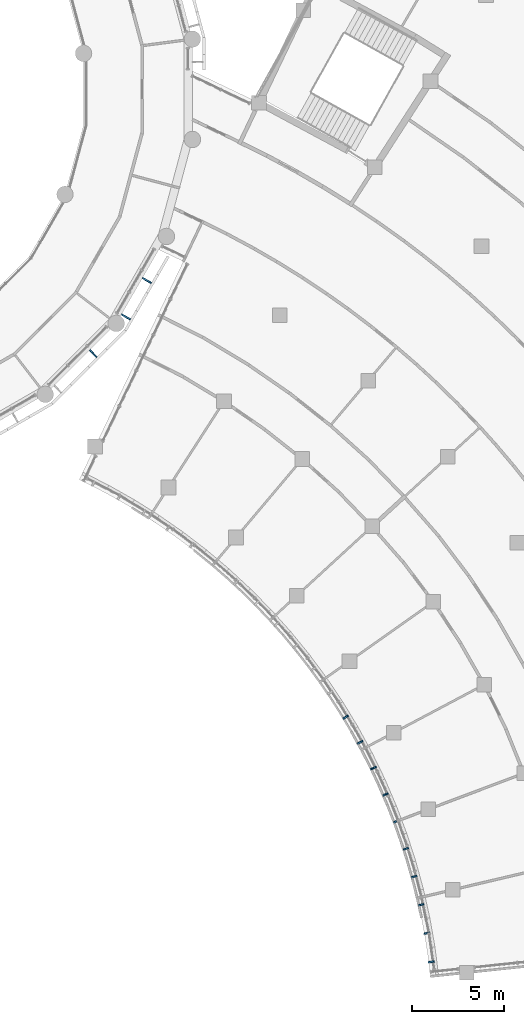
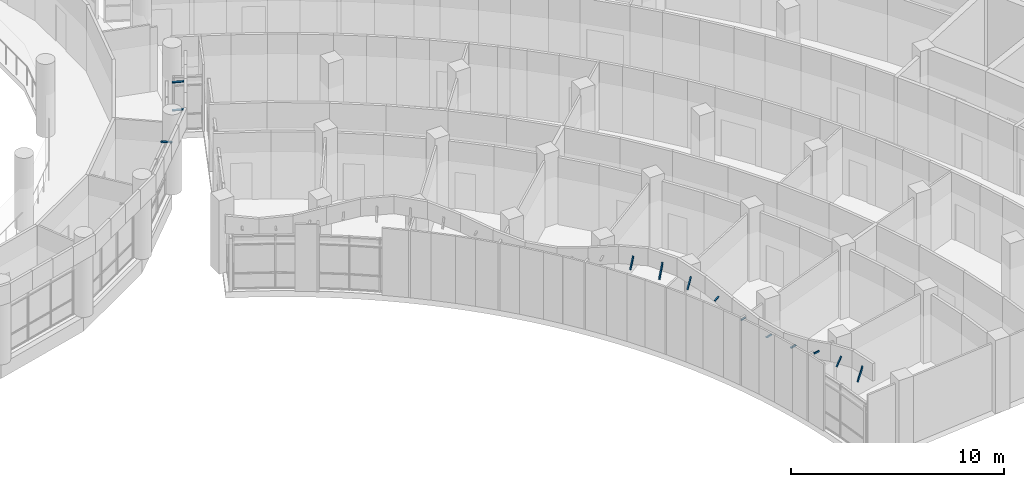
# One storey, part 84 of 109: 13 discrete accessories.
"""IFC4 building model written with IfcOpenShell, lengths in metres."""

from ifc_helpers import new_model, si_unit, direction, frame, origin, origin_2d, place, context, subcontext, project, spatial, rectangle, extrude, material, material_profile, profile_set, type_object, element, save


model = new_model("IFC4")

# Units and contexts
model_context = context("Model", 3, precision=1e-05, world=origin(), true_north=direction((0.0, 1.0)))
body_context = subcontext(model_context, "Body", "Model", "MODEL_VIEW")
ifc_project = project(units=[si_unit("LENGTHUNIT", "METRE"), si_unit("AREAUNIT", "SQUARE_METRE"), si_unit("VOLUMEUNIT", "CUBIC_METRE"), si_unit("PLANEANGLEUNIT", "RADIAN"), si_unit("MASSUNIT", "GRAM", prefix="KILO")], contexts=[model_context])

# Site, building, storey
site_placement = place(None, origin())
site = spatial("IfcSite", under=ifc_project, at=site_placement, CompositionType="ELEMENT")
building_placement = place(site_placement, origin())
building = spatial("IfcBuilding", under=site, at=building_placement, Name="Bougainvillea Quay General Hospital", CompositionType="ELEMENT")
storey_placement = place(building_placement, frame((0.0, 0.0, 12.60009765625)))
storey = spatial("IfcBuildingStorey", under=building, at=storey_placement, Name="L02", CompositionType="ELEMENT", Elevation=12.60009765625)

# Discrete accessories
ifc_material = material(Name="Stainless steel bracket, grade 316", Category="steel")
ifc_material_profile = material_profile(ifc_material, rectangle(XDim=0.080078125, YDim=0.050048828125, at=origin_2d()))
ifc_profile_set = profile_set([ifc_material_profile], Name="Stainless steel bracket, grade 316")
discrete_accessory_type = type_object("IfcDiscreteAccessoryType", Name="Stainless steel stand-off bracket 80x50", PredefinedType="BRACKET", material=ifc_profile_set)
discrete_accessory_1_placement = place(storey_placement, frame((138.255615234375, 39.639404296875, 4.139892578125), z_axis=(0.380243326461, 0.231043087887, 0.89556356794), x_axis=(-0.51927544977, 0.85460693144, 0.0)))
element("IfcDiscreteAccessory", 1, at=discrete_accessory_1_placement, inside=storey, type_object=discrete_accessory_type, Name="Fascia bracket a21 13", PredefinedType="BRACKET", context=body_context, shape_type="SweptSolid", body=[
    extrude(rectangle(XDim=0.080078125, YDim=0.050048828125, at=origin_2d()), origin(), (0.0, 0.0, 1.0), 0.674072265625),
])
discrete_accessory_2_placement = place(storey_placement, frame((139.042724609375, 38.2724609375, 4.139892578125), z_axis=(0.307057102982, 0.167485692536, 0.93683748767), x_axis=(-0.478852130681, 0.877895572914, 0.0)))
element("IfcDiscreteAccessory", 2, at=discrete_accessory_2_placement, inside=storey, type_object=discrete_accessory_type, Name="Fascia bracket a21 14", PredefinedType="BRACKET", context=body_context, shape_type="SweptSolid", body=[
    extrude(rectangle(XDim=0.080078125, YDim=0.050048828125, at=origin_2d()), origin(), (0.0, 0.0, 1.0), 0.857177734375),
])
discrete_accessory_3_placement = place(storey_placement, frame((139.765380859375, 36.870361328125, 4.139892578125), z_axis=(0.405386328909, 0.197373615342, 0.892583654511), x_axis=(-0.437750214358, 0.899096629862, 0.0)))
element("IfcDiscreteAccessory", 3, at=discrete_accessory_3_placement, inside=storey, type_object=discrete_accessory_type, Name="Fascia bracket a21 15", PredefinedType="BRACKET", context=body_context, shape_type="SweptSolid", body=[
    extrude(rectangle(XDim=0.080078125, YDim=0.050048828125, at=origin_2d()), origin(), (0.0, 0.0, 1.0), 0.66552734375),
])
discrete_accessory_4_placement = place(storey_placement, frame((140.42236328125, 35.436279296875, 4.139892578125), z_axis=(0.878336487554, 0.378097017671, 0.292519503384), x_axis=(-0.39539162244, 0.918512637313, 0.0)))
element("IfcDiscreteAccessory", 4, at=discrete_accessory_4_placement, inside=storey, type_object=discrete_accessory_type, Name="Fascia bracket a21 16", PredefinedType="BRACKET", context=body_context, shape_type="SweptSolid", body=[
    extrude(rectangle(XDim=0.080078125, YDim=0.050048828125, at=origin_2d()), origin(), (0.0, 0.0, 1.0), 0.313720703125),
])
for number, where, z_axis, x_axis, name in (
    (5, (141.01220703125, 33.973388671875, 3.7119140625), (0.935860136355, 0.352371686123, 0.0), (-0.352371686123, 0.935860136355, 0.0), "Fascia bracket a21 17"),
    (6, (141.533447265625, 32.484619140625, 3.460205078125), (0.951255083436, 0.308405198137, 0.0), (-0.308405198137, 0.951255083436, 0.0), "Fascia bracket a21 18"),
):
    element("IfcDiscreteAccessory", number, at=place(storey_placement, frame(where, z_axis=z_axis, x_axis=x_axis)), inside=storey, type_object=discrete_accessory_type, Name=name, PredefinedType="BRACKET", context=body_context, shape_type="SweptSolid", body=[
        extrude(rectangle(XDim=0.080078125, YDim=0.050048828125, at=origin_2d()), origin(), (0.0, 0.0, 1.0), 0.300048828125),
    ])
discrete_accessory_5_placement = place(storey_placement, frame((141.98486328125, 30.97314453125, 3.614990234375), z_axis=(0.96444409116, 0.264286955841, 0.0), x_axis=(-0.264286955841, 0.96444409116, 0.0)))
element("IfcDiscreteAccessory", 7, at=discrete_accessory_5_placement, inside=storey, type_object=discrete_accessory_type, Name="Fascia bracket a21 19", PredefinedType="BRACKET", context=body_context, shape_type="SweptSolid", body=[
    extrude(rectangle(XDim=0.080078125, YDim=0.050048828125, at=origin_2d()), origin(), (0.0, 0.0, 1.0), 0.30029296875),
])
discrete_accessory_6_placement = place(storey_placement, frame((142.365966796875, 29.442626953125, 4.091064453125), z_axis=(0.975744639725, 0.218911849947, 0.0), x_axis=(-0.218911849947, 0.975744639725, 0.0)))
element("IfcDiscreteAccessory", 8, at=discrete_accessory_6_placement, inside=storey, type_object=discrete_accessory_type, Name="Fascia bracket a21 20", PredefinedType="BRACKET", context=body_context, shape_type="SweptSolid", body=[
    extrude(rectangle(XDim=0.080078125, YDim=0.050048828125, at=origin_2d()), origin(), (0.0, 0.0, 1.0), 0.300048828125),
])
discrete_accessory_7_placement = place(storey_placement, frame((142.675537109375, 27.895751953125, 4.139892578125), z_axis=(0.516439215753, 0.090910374343, 0.851484492089), x_axis=(-0.173367427214, 0.984857215631, 0.0)))
element("IfcDiscreteAccessory", 9, at=discrete_accessory_7_placement, inside=storey, type_object=discrete_accessory_type, Name="Fascia bracket a21 21", PredefinedType="BRACKET", context=body_context, shape_type="SweptSolid", body=[
    extrude(rectangle(XDim=0.080078125, YDim=0.050048828125, at=origin_2d()), origin(), (0.0, 0.0, 1.0), 0.572021484375),
])
discrete_accessory_8_placement = place(storey_placement, frame((142.9130859375, 26.33642578125, 4.139892578125), z_axis=(0.352726197742, 0.045429050899, 0.934623149061), x_axis=(-0.127738989048, 0.991807819427, 0.0)))
element("IfcDiscreteAccessory", 10, at=discrete_accessory_8_placement, inside=storey, type_object=discrete_accessory_type, Name="Fascia bracket a21 22", PredefinedType="BRACKET", context=body_context, shape_type="SweptSolid", body=[
    extrude(rectangle(XDim=0.080078125, YDim=0.050048828125, at=origin_2d()), origin(), (0.0, 0.0, 1.0), 0.84375),
])
for number, where, z_axis, x_axis, name in (
    (11, (124.406494140625, 59.762451171875, 4.139892578125), (0.702928468265, -0.702928468265, 0.108550158941), (0.707106781187, 0.707106781187, 0.0), "Fascia bracket e0 37"),
    (12, (126.146728515625, 61.71240234375, 4.139892578125), (0.860985424, -0.496909065825, 0.108560950438), (0.499863360881, 0.866104278045, 0.0), "Fascia bracket e0 39"),
    (13, (127.293212890625, 63.698486328125, 4.139892578125), (0.860985424, -0.496909065825, 0.108560950438), (0.499863360881, 0.866104278045, 0.0), "Fascia bracket e0 41"),
):
    element("IfcDiscreteAccessory", number, at=place(storey_placement, frame(where, z_axis=z_axis, x_axis=x_axis)), inside=storey, type_object=discrete_accessory_type, Name=name, PredefinedType="BRACKET", context=body_context, shape_type="SweptSolid", body=[
        extrude(rectangle(XDim=0.080078125, YDim=0.050048828125, at=origin_2d()), origin(), (0.0, 0.0, 1.0), 0.55322265625),
    ])

save(model, "model.ifc")
